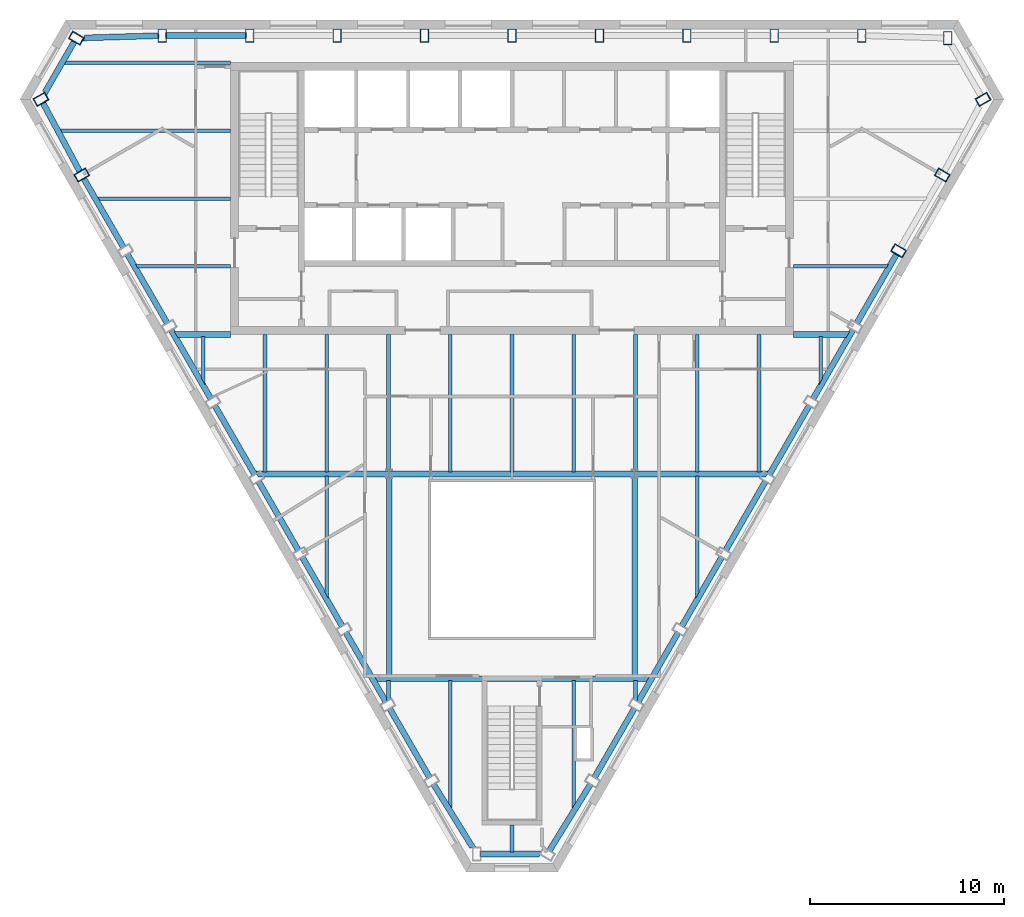
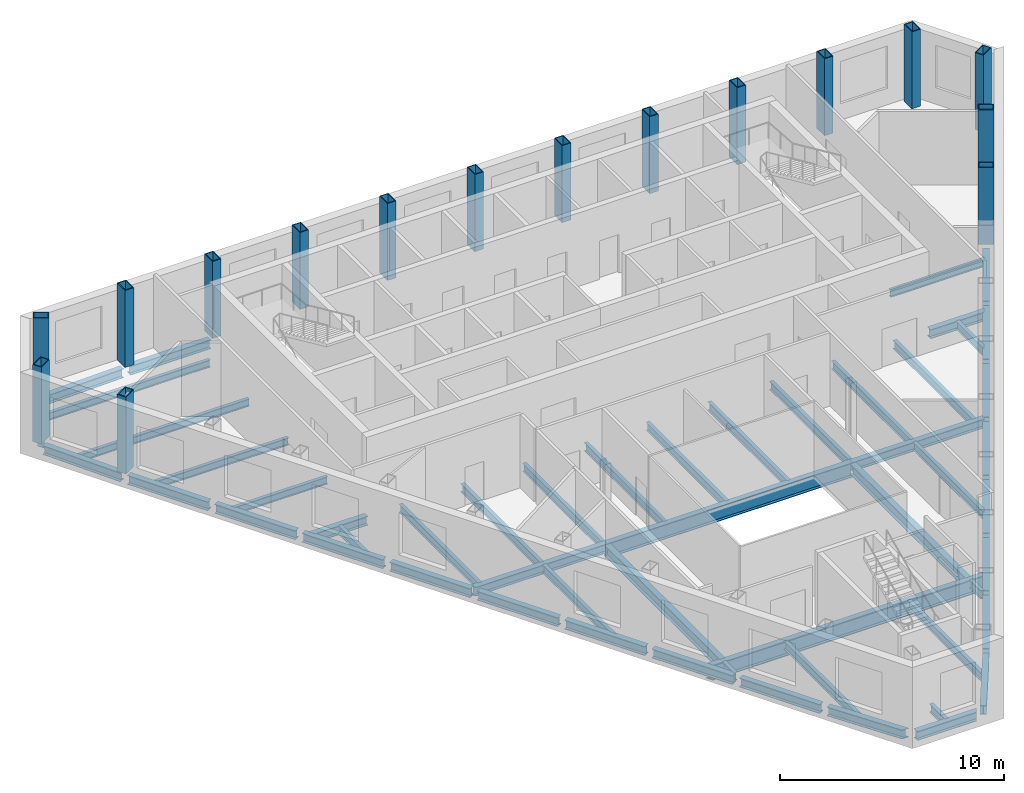
# One storey, part 2 of 10: 53 beams, 16 columns.
"""IFC4 building model written with IfcOpenShell, lengths in metres."""

import ifcopenshell
import ifcopenshell.guid

model = None  # the IFC model being written
_history = None  # IfcOwnerHistory: only IFC2X3 demands one
_inside = {}  # id of a spatial element -> (the spatial element, [elements in it])
_under = {}  # id of a project, library or spatial element -> (it, [spatial elements below it])
_declared = {}  # id of a project -> (the project, [libraries it declares])
_typed = {}  # id of a type object -> (the type object, [elements of that type])
_made_of = {}  # id of a material, layer set ... -> (it, [elements and type objects made of it])


def new_model(schema):
    """Start an empty IFC model of exactly this schema.

    Asked for "IFC4X3", IfcOpenShell would pick the latest addendum, in which some entities
    have other attributes; the version numbers below select the first issue.
    IFC2X3 requires an IfcOwnerHistory on every rooted entity: one is made here for all.
    """
    global model, _history
    if schema == "IFC4X3":
        model = ifcopenshell.file(schema_version=(4, 3, 0, 0))
    else:
        model = ifcopenshell.file(schema=schema)
    _inside.clear()
    _under.clear()
    _declared.clear()
    _typed.clear()
    _made_of.clear()
    _history = None
    if model.schema == "IFC2X3":
        org = make("IfcOrganization", Name="unknown")
        user = make(
            "IfcPersonAndOrganization",
            ThePerson=make("IfcPerson", FamilyName="unknown"),
            TheOrganization=org,
        )
        app = make(
            "IfcApplication",
            ApplicationDeveloper=org,
            Version="unknown",
            ApplicationFullName="unknown",
            ApplicationIdentifier="unknown",
        )
        _history = make(
            "IfcOwnerHistory",
            OwningUser=user,
            OwningApplication=app,
            ChangeAction="ADDED",
            CreationDate=0,
        )
    return model


def make(cls, **values):
    """One entity of the class cls with the attributes given. An attribute that is None is left unset."""
    return model.create_entity(
        cls, **{name: value for name, value in values.items() if value is not None}
    )


def rooted(cls, **values):
    """An entity with a GlobalId (a new one), such as an element, a storey or a relation."""
    return make(cls, GlobalId=ifcopenshell.guid.new(), OwnerHistory=_history, **values)


def si_unit(unit_type, name, prefix=None):
    """IfcSIUnit, for example si_unit("LENGTHUNIT", "METRE", prefix="MILLI")."""
    return make("IfcSIUnit", UnitType=unit_type, Prefix=prefix, Name=name)


def assignment(units):
    """IfcUnitAssignment: the units of a project."""
    return None if units is None else make("IfcUnitAssignment", Units=units)


def point(xyz):
    """IfcCartesianPoint."""
    return None if xyz is None else make("IfcCartesianPoint", Coordinates=xyz)


def direction(xyz):
    """IfcDirection."""
    return None if xyz is None else make("IfcDirection", DirectionRatios=xyz)


def frame(location, z_axis=None, x_axis=None):
    """IfcAxis2Placement3D, a coordinate frame: its origin and axes. An axis left out is left unset."""
    return make(
        "IfcAxis2Placement3D",
        Location=point(location),
        Axis=direction(z_axis),
        RefDirection=direction(x_axis),
    )


def frame_2d(location, x_axis=None):
    """IfcAxis2Placement2D, a coordinate frame in the plane: its origin and x axis."""
    return make(
        "IfcAxis2Placement2D", Location=point(location), RefDirection=direction(x_axis)
    )


def origin():
    """The frame at (0, 0, 0) with its axes left unset."""
    return frame((0.0, 0.0, 0.0))


def origin_2d():
    """The frame at (0, 0) in the plane with its x axis left unset."""
    return frame_2d((0.0, 0.0))


def place(relative_to, where):
    """IfcLocalPlacement: puts the frame where relative to a parent placement (None: the world)."""
    return make(
        "IfcLocalPlacement", PlacementRelTo=relative_to, RelativePlacement=where
    )


def context(
    kind, dimensions, precision=None, world=None, true_north=None, identifier=None
):
    """IfcGeometricRepresentationContext, for example the 3D "Model" context."""
    return make(
        "IfcGeometricRepresentationContext",
        ContextIdentifier=identifier,
        ContextType=kind,
        CoordinateSpaceDimension=dimensions,
        Precision=precision,
        WorldCoordinateSystem=world,
        TrueNorth=true_north,
    )


def subcontext(parent, identifier, kind, view, scale=None):
    """IfcGeometricRepresentationSubContext, for example "Body" below "Model"."""
    return make(
        "IfcGeometricRepresentationSubContext",
        ContextIdentifier=identifier,
        ContextType=kind,
        ParentContext=parent,
        TargetScale=scale,
        TargetView=view,
    )


def project(units=None, contexts=None):
    """IfcProject with its units and contexts."""
    return rooted(
        "IfcProject",
        Name="project",
        RepresentationContexts=contexts,
        UnitsInContext=assignment(units),
    )


def spatial(cls, under=None, at=None, **own):
    """A site, building, storey or space (cls), placed at a placement, below another one or the project."""
    s = rooted(cls, ObjectPlacement=at, **own)
    if under is not None:
        _under.setdefault(under.id(), (under, []))[1].append(s)
    return s


def profile(cls, at=None, kind="AREA", **sizes):
    """A parametric profile (cls). Its sizes go by their IFC names, for example OverallWidth=200.0."""
    return make(cls, ProfileType=kind, Position=at, **sizes)


def hollow_rectangle(**sizes):
    """IfcRectangleHollowProfileDef."""
    return profile("IfcRectangleHollowProfileDef", **sizes)


def i_section(**sizes):
    """IfcIShapeProfileDef."""
    return profile("IfcIShapeProfileDef", **sizes)


def extrude(swept, where, along, depth):
    """IfcExtrudedAreaSolid: the profile swept, set in the frame where, extruded along a direction by depth."""
    return make(
        "IfcExtrudedAreaSolid",
        SweptArea=swept,
        Position=where,
        ExtrudedDirection=direction(along),
        Depth=depth,
    )


def clip(a, b, op="DIFFERENCE"):
    """IfcBooleanClippingResult: the solid a cut by the half space b."""
    return make(
        "IfcBooleanClippingResult", Operator=op, FirstOperand=a, SecondOperand=b
    )


def halfspace(plane, agree):
    """IfcHalfSpaceSolid: all space on one side of the plane z = 0 of the frame plane."""
    return make(
        "IfcHalfSpaceSolid",
        BaseSurface=make("IfcPlane", Position=plane),
        AgreementFlag=agree,
    )


def shape(context_of_items, identifier, shape_type, items):
    """IfcShapeRepresentation: the items that make up one representation, for example the "Body"."""
    return make(
        "IfcShapeRepresentation",
        ContextOfItems=context_of_items,
        RepresentationIdentifier=identifier,
        RepresentationType=shape_type,
        Items=items,
    )


def material(Name=None, Category=None):
    """IfcMaterial."""
    return make("IfcMaterial", Name=Name, Category=Category)


def material_profile(
    of_material, cross_section, Name=None, Category=None, Priority=None
):
    """IfcMaterialProfile: a cross section and its material."""
    return make(
        "IfcMaterialProfile",
        Name=Name,
        Material=of_material,
        Profile=cross_section,
        Priority=Priority,
        Category=Category,
    )


def profile_set(profiles, Name=None, composite=None):
    """IfcMaterialProfileSet."""
    return make(
        "IfcMaterialProfileSet",
        Name=Name,
        MaterialProfiles=profiles,
        CompositeProfile=composite,
    )


def made_of(thing, what):
    """Note that an element or type object is made of a material, layer set ...; save() writes the relation."""
    if what is not None:
        _made_of.setdefault(what.id(), (what, []))[1].append(thing)
    return thing


def type_object(cls, material=None, **own):
    """A type object (cls), such as IfcWallType, which elements share."""
    return made_of(rooted(cls, **own), material)


def element(
    cls,
    number,
    at=None,
    inside=None,
    cuts=None,
    type_object=None,
    material=None,
    context=None,
    identifier="Body",
    shape_type=None,
    held_by="IfcProductDefinitionShape",
    body=None,
    shapes=None,
    **own,
):
    """One element of the class cls, such as IfcWall. Its Tag is "e" and its number.

    at: its placement. inside: the storey or other place that contains it. cuts: it is an
    opening in that element (IfcRelVoidsElement). A single representation is given by context,
    identifier, shape_type and body (its items); several are given by shapes. held_by: the class
    of the entity that holds the representations. save() writes the other relations.
    """
    e = rooted(cls, Tag="e%d" % number, ObjectPlacement=at, **own)
    if body is not None:
        shapes = [shape(context, identifier, shape_type, body)]
    if shapes is not None:
        e.Representation = make(held_by, Representations=shapes)
    if inside is not None:
        _inside.setdefault(inside.id(), (inside, []))[1].append(e)
    if cuts is not None:
        rooted(
            "IfcRelVoidsElement", RelatingBuildingElement=cuts, RelatedOpeningElement=e
        )
    if type_object is not None:
        _typed.setdefault(type_object.id(), (type_object, []))[1].append(e)
    return made_of(e, material)


def aggregate(whole, parts):
    """IfcRelAggregates: a whole, such as a stair, and the parts it consists of."""
    return rooted("IfcRelAggregates", RelatingObject=whole, RelatedObjects=parts)


def save(model, path):
    """Write the relations noted so far, then the file.

    IfcRelAggregates (storeys below a building ...), IfcRelContainedInSpatialStructure (elements
    in a storey), IfcRelDefinesByType, IfcRelAssociatesMaterial and IfcRelDeclares: one each for
    every whole, place, type object, material and project.
    """
    for whole, parts in _under.values():
        aggregate(whole, parts)
    for where, things in _inside.values():
        rooted(
            "IfcRelContainedInSpatialStructure",
            RelatedElements=things,
            RelatingStructure=where,
        )
    for kind, things in _typed.values():
        rooted("IfcRelDefinesByType", RelatedObjects=things, RelatingType=kind)
    for what, things in _made_of.values():
        rooted("IfcRelAssociatesMaterial", RelatedObjects=things, RelatingMaterial=what)
    for by, libraries in _declared.values():
        rooted("IfcRelDeclares", RelatingContext=by, RelatedDefinitions=libraries)
    model.write(path)


model = new_model("IFC4")

# Units and contexts
model_context = context("Model", 3, precision=1e-05, world=origin(), true_north=direction((0.0, 1.0)))
body_context = subcontext(model_context, "Body", "Model", "MODEL_VIEW")
ifc_project = project(units=[si_unit("LENGTHUNIT", "METRE"), si_unit("AREAUNIT", "SQUARE_METRE"), si_unit("VOLUMEUNIT", "CUBIC_METRE"), si_unit("PLANEANGLEUNIT", "RADIAN"), si_unit("MASSUNIT", "GRAM", prefix="KILO")], contexts=[model_context])

# Site, building, storey
site_placement = place(None, origin())
site = spatial("IfcSite", under=ifc_project, at=site_placement, CompositionType="ELEMENT")
building_placement = place(site_placement, origin())
building = spatial("IfcBuilding", under=site, at=building_placement, Name="Njiva Tower", CompositionType="ELEMENT")
storey_placement = place(building_placement, frame((0.0, 0.0, 308.4)))
storey = spatial("IfcBuildingStorey", under=building, at=storey_placement, Name="L70", CompositionType="ELEMENT", Elevation=308.4)

# Columns
ifc_material = material(Name="Steel S355 J2", Category="steel")
ifc_material_profile_1 = material_profile(ifc_material, hollow_rectangle(XDim=0.45, YDim=0.7, WallThickness=0.04, at=origin_2d()), Name="BOX 700x450x40")
ifc_profile_set_1 = profile_set([ifc_material_profile_1], Name="Steel S355 J2")
column_type = type_object("IfcColumnType", Name="C15 Perimeter tube column BOX 700x450x40", PredefinedType="COLUMN", material=ifc_profile_set_1)
for number, where, z_axis, x_axis, name in (
    (1, (22.456, 19.267, 0.0), (0.0, 0.0, 1.0), (-1.0, 0.0, 0.0), "Perimeter tube column S23-C01"),
    (2, (18.026, 19.4, 0.0), (0.0, 0.0, 1.0), (-1.0, 0.0, 0.0), "Perimeter tube column S23-C02"),
    (3, (13.52, 19.4, 0.0), (0.0, 0.0, 1.0), (-1.0, 0.0, 0.0), "Perimeter tube column S23-C03"),
    (4, (9.013, 19.4, 0.0), (0.0, 0.0, 1.0), (-1.0, 0.0, 0.0), "Perimeter tube column S23-C04"),
    (5, (4.507, 19.4, 0.0), (0.0, 0.0, 1.0), (-1.0, 0.0, 0.0), "Perimeter tube column S23-C05"),
    (6, (0.0, 19.4, 0.0), (0.0, 0.0, 1.0), (-1.0, 0.0, 0.0), "Perimeter tube column S23-C06"),
    (7, (-4.507, 19.4, 0.0), (0.0, 0.0, 1.0), (-1.0, 0.0, 0.0), "Perimeter tube column S23-C07"),
    (8, (-9.013, 19.4, 0.0), (0.0, 0.0, 1.0), (-1.0, 0.0, 0.0), "Perimeter tube column S23-C08"),
    (9, (-13.52, 19.4, 0.0), (0.0, 0.0, 1.0), (-1.0, 0.0, 0.0), "Perimeter tube column S23-C09"),
    (10, (-18.026, 19.4, 0.0), (0.0, 0.0, 1.0), (-1.0, 0.0, 0.0), "Perimeter tube column S23-C10"),
    (11, (-22.456, 19.267, 0.0), (0.0, 0.0, 1.0), (-0.5, -0.866025403784, 0.0), "Perimeter tube column S23-C11"),
    (12, (-24.278, 16.112, 0.0), (0.0, 0.0, 1.0), (0.5, -0.866025403784, 0.0), "Perimeter tube column S23-C12"),
    (13, (-22.178, 12.21, 0.0), (0.0, 0.0, 1.0), (0.5, -0.866025403784, 0.0), "Perimeter tube column S23-C13"),
    (14, (19.925, 8.307, 0.0), (0.0, 0.0, 1.0), (0.5, 0.866025403784, 0.0), "Perimeter tube column S23-C31"),
    (15, (22.178, 12.21, 0.0), (0.0, 0.0, 1.0), (0.5, 0.866025403784, 0.0), "Perimeter tube column S23-C32"),
    (16, (24.278, 16.112, 0.0), (0.0, 0.0, 1.0), (-0.5, 0.866025403784, 0.0), "Perimeter tube column S23-C33"),
):
    element("IfcColumn", number, at=place(storey_placement, frame(where, z_axis=z_axis, x_axis=x_axis)), inside=storey, type_object=column_type, Name=name, PredefinedType="COLUMN", context=body_context, shape_type="SweptSolid", body=[
        extrude(hollow_rectangle(XDim=0.45, YDim=0.7, WallThickness=0.04, at=origin_2d()), origin(), (0.0, 0.0, 1.0), 4.2),
    ])

# Beams
ifc_material_profile_2 = material_profile(ifc_material, i_section(OverallWidth=0.3, OverallDepth=0.59, WebThickness=0.013, FlangeThickness=0.025, at=origin_2d()), Name="HEA 600")
ifc_profile_set_2 = profile_set([ifc_material_profile_2], Name="Steel S355 J2")
beam_type_1 = type_object("IfcBeamType", Name="B30 Long-span atrium trimmer beam HEA 600", PredefinedType="BEAM", material=ifc_profile_set_2)
for number, where, z_axis, x_axis, name in (
    (17, (6.33, -13.649, -0.495), (0.0, 1.0, 0.0), (-1.0, 0.0, 0.0), "Long-span atrium trimmer beam S23-B061"),
    (18, (-6.33, -3.375, -0.495), (0.0, -1.0, 0.0), (1.0, 0.0, 0.0), "Long-span atrium trimmer beam S23-B058"),
):
    element("IfcBeam", number, at=place(storey_placement, frame(where, z_axis=z_axis, x_axis=x_axis)), inside=storey, type_object=beam_type_1, Name=name, PredefinedType="BEAM", context=body_context, shape_type="SweptSolid", body=[
        extrude(i_section(OverallWidth=0.3, OverallDepth=0.59, WebThickness=0.013, FlangeThickness=0.025, at=origin_2d()), origin(), (0.0, 0.0, 1.0), 10.274),
    ])
ifc_material_profile_3 = material_profile(ifc_material, i_section(OverallWidth=0.303, OverallDepth=0.814, WebThickness=0.021, FlangeThickness=0.04, at=origin_2d()), Name="HEM 800")
ifc_profile_set_3 = profile_set([ifc_material_profile_3], Name="Steel S355 J2")
beam_type_2 = type_object("IfcBeamType", Name="B36 Long-span atrium trimmer beam HEM 800", PredefinedType="BEAM", material=ifc_profile_set_3)
beam_1_placement = place(storey_placement, frame((-7.182, -13.75, -0.607), z_axis=(1.0, 0.0, 0.0), x_axis=(0.0, 1.0, 0.0)))
element("IfcBeam", 19, at=beam_1_placement, inside=storey, type_object=beam_type_2, Name="Long-span atrium trimmer beam S23-B057", PredefinedType="BEAM", context=body_context, shape_type="Clipping", body=[
    clip(clip(extrude(i_section(OverallWidth=0.303, OverallDepth=0.814, WebThickness=0.021, FlangeThickness=0.04, at=origin_2d()), origin(), (0.0, 0.0, 1.0), 14.364), halfspace(frame((-0.025, 0.0, 0.1217), z_axis=(-0.499998009787, 0.0, -0.866026552831), x_axis=(0.0, -1.0, 0.0)), False)), halfspace(frame((-0.025, 0.0, 14.2423), z_axis=(-0.499998009787, 0.0, 0.866026552831), x_axis=(0.0, 1.0, 0.0)), False)),
])
ifc_material_profile_4 = material_profile(ifc_material, i_section(OverallWidth=0.3, OverallDepth=0.49, WebThickness=0.012, FlangeThickness=0.023, at=origin_2d()), Name="HEA 500")
ifc_profile_set_4 = profile_set([ifc_material_profile_4], Name="Steel S355 J2")
beam_type_3 = type_object("IfcBeamType", Name="B48 Short-span spandrel beam HEA 500", PredefinedType="SPANDREL", material=ifc_profile_set_4)
beam_2_placement = place(storey_placement, frame((-13.695, 19.4, -0.445), z_axis=(-1.0, 0.0, 0.0), x_axis=(0.0, -1.0, 0.0)))
element("IfcBeam", 20, at=beam_2_placement, inside=storey, type_object=beam_type_3, Name="Short-span spandrel beam S23-B074", PredefinedType="SPANDREL", context=body_context, shape_type="SweptSolid", body=[
    extrude(i_section(OverallWidth=0.3, OverallDepth=0.49, WebThickness=0.012, FlangeThickness=0.023, at=origin_2d()), origin(), (0.0, 0.0, 1.0), 4.156),
])
beam_3_placement = place(storey_placement, frame((-18.205, 19.395, -0.445), z_axis=(-0.999542354349, -0.030250320034, 0.0), x_axis=(0.030250320034, -0.999542354349, 0.0)))
element("IfcBeam", 21, at=beam_3_placement, inside=storey, type_object=beam_type_3, Name="Short-span spandrel beam S23-B068", PredefinedType="SPANDREL", context=body_context, shape_type="Clipping", body=[
    clip(extrude(i_section(OverallWidth=0.3, OverallDepth=0.49, WebThickness=0.012, FlangeThickness=0.023, at=origin_2d()), origin(), (0.0, 0.0, 1.0), 4.0138), halfspace(frame((-0.0268, 0.0, 3.8841), z_axis=(-0.525966768254, 0.0, 0.850505119734), x_axis=(0.0, 1.0, 0.0)), False)),
])
beam_4_placement = place(storey_placement, frame((-22.544, 19.116, -0.445), z_axis=(-0.499962735845, -0.866046917185, 0.0), x_axis=(0.866046917185, -0.499962735845, 0.0)))
element("IfcBeam", 22, at=beam_4_placement, inside=storey, type_object=beam_type_3, Name="Short-span spandrel beam S23-B066", PredefinedType="SPANDREL", context=body_context, shape_type="Clipping", body=[
    clip(extrude(i_section(OverallWidth=0.3, OverallDepth=0.49, WebThickness=0.012, FlangeThickness=0.023, at=origin_2d()), origin(), (0.0, 0.0, 1.0), 3.2292), halfspace(frame((-0.0246, 0.0, 3.1078), z_axis=(-0.50003925339, 0.0, 0.866002739643), x_axis=(0.0, 1.0, 0.0)), False)),
])
beam_5_placement = place(storey_placement, frame((-24.193, 15.955, -0.445), z_axis=(0.473719218081, -0.880675934962, 0.0), x_axis=(0.880675934962, 0.473719218081, 0.0)))
element("IfcBeam", 23, at=beam_5_placement, inside=storey, type_object=beam_type_3, Name="Short-span spandrel beam S23-B064", PredefinedType="SPANDREL", context=body_context, shape_type="SweptSolid", body=[
    extrude(i_section(OverallWidth=0.3, OverallDepth=0.49, WebThickness=0.012, FlangeThickness=0.023, at=origin_2d()), origin(), (0.0, 0.0, 1.0), 4.0741),
])
beam_6_placement = place(storey_placement, frame((-22.091, 12.058, -0.445), z_axis=(0.500201435056, -0.865909073961, 0.0), x_axis=(0.865909073961, 0.500201435056, 0.0)))
element("IfcBeam", 24, at=beam_6_placement, inside=storey, type_object=beam_type_3, Name="Short-span spandrel beam S23-B069", PredefinedType="SPANDREL", context=body_context, shape_type="SweptSolid", body=[
    extrude(i_section(OverallWidth=0.3, OverallDepth=0.49, WebThickness=0.012, FlangeThickness=0.023, at=origin_2d()), origin(), (0.0, 0.0, 1.0), 4.1563),
])
beam_7_placement = place(storey_placement, frame((-19.837, 8.156, -0.445), z_axis=(0.499812681335, -0.866133525259, 0.0), x_axis=(0.866133525259, 0.499812681335, 0.0)))
element("IfcBeam", 25, at=beam_7_placement, inside=storey, type_object=beam_type_3, Name="Short-span spandrel beam S23-B071", PredefinedType="SPANDREL", context=body_context, shape_type="SweptSolid", body=[
    extrude(i_section(OverallWidth=0.3, OverallDepth=0.49, WebThickness=0.012, FlangeThickness=0.023, at=origin_2d()), origin(), (0.0, 0.0, 1.0), 4.1576),
])
for number, where, z_axis, x_axis, name in (
    (26, (-17.584, 4.252, -0.445), (0.500201435056, -0.865909073961, 0.0), (0.865909073961, 0.500201435056, 0.0), "Short-span spandrel beam S23-B075"),
    (27, (-15.331, 0.349, -0.445), (0.500201435056, -0.865909073961, 0.0), (0.865909073961, 0.500201435056, 0.0), "Short-span spandrel beam S23-B077"),
):
    element("IfcBeam", number, at=place(storey_placement, frame(where, z_axis=z_axis, x_axis=x_axis)), inside=storey, type_object=beam_type_3, Name=name, PredefinedType="SPANDREL", context=body_context, shape_type="SweptSolid", body=[
        extrude(i_section(OverallWidth=0.3, OverallDepth=0.49, WebThickness=0.012, FlangeThickness=0.023, at=origin_2d()), origin(), (0.0, 0.0, 1.0), 4.1563),
    ])
beam_8_placement = place(storey_placement, frame((-13.077, -3.553, -0.445), z_axis=(0.499812681335, -0.866133525259, 0.0), x_axis=(0.866133525259, 0.499812681335, 0.0)))
element("IfcBeam", 28, at=beam_8_placement, inside=storey, type_object=beam_type_3, Name="Short-span spandrel beam S23-B080", PredefinedType="SPANDREL", context=body_context, shape_type="SweptSolid", body=[
    extrude(i_section(OverallWidth=0.3, OverallDepth=0.49, WebThickness=0.012, FlangeThickness=0.023, at=origin_2d()), origin(), (0.0, 0.0, 1.0), 4.1576),
])
beam_9_placement = place(storey_placement, frame((-10.824, -7.457, -0.445), z_axis=(0.500201435056, -0.865909073961, 0.0), x_axis=(0.865909073961, 0.500201435056, 0.0)))
element("IfcBeam", 29, at=beam_9_placement, inside=storey, type_object=beam_type_3, Name="Short-span spandrel beam S23-B082", PredefinedType="SPANDREL", context=body_context, shape_type="SweptSolid", body=[
    extrude(i_section(OverallWidth=0.3, OverallDepth=0.49, WebThickness=0.012, FlangeThickness=0.023, at=origin_2d()), origin(), (0.0, 0.0, 1.0), 4.1563),
])
beam_10_placement = place(storey_placement, frame((-8.57, -11.359, -0.445), z_axis=(0.500021003115, -0.866013277291, 0.0), x_axis=(0.866013277291, 0.500021003115, 0.0)))
element("IfcBeam", 30, at=beam_10_placement, inside=storey, type_object=beam_type_3, Name="Short-span spandrel beam S23-B085", PredefinedType="SPANDREL", context=body_context, shape_type="SweptSolid", body=[
    extrude(i_section(OverallWidth=0.3, OverallDepth=0.49, WebThickness=0.012, FlangeThickness=0.023, at=origin_2d()), origin(), (0.0, 0.0, 1.0), 4.1558),
])
beam_11_placement = place(storey_placement, frame((-6.318, -15.262, -0.445), z_axis=(0.500097243556, -0.865969252911, 0.0), x_axis=(0.865969252911, 0.500097243556, 0.0)))
element("IfcBeam", 31, at=beam_11_placement, inside=storey, type_object=beam_type_3, Name="Short-span spandrel beam S23-B087", PredefinedType="SPANDREL", context=body_context, shape_type="SweptSolid", body=[
    extrude(i_section(OverallWidth=0.3, OverallDepth=0.49, WebThickness=0.012, FlangeThickness=0.023, at=origin_2d()), origin(), (0.0, 0.0, 1.0), 4.1572),
])
beam_12_placement = place(storey_placement, frame((-4.057, -19.165, -0.445), z_axis=(0.525612966053, -0.850723815299, 0.0), x_axis=(0.850723815299, 0.525612966053, 0.0)))
element("IfcBeam", 32, at=beam_12_placement, inside=storey, type_object=beam_type_3, Name="Short-span spandrel beam S23-B090", PredefinedType="SPANDREL", context=body_context, shape_type="Clipping", body=[
    clip(extrude(i_section(OverallWidth=0.3, OverallDepth=0.49, WebThickness=0.012, FlangeThickness=0.023, at=origin_2d()), origin(), (0.0, 0.0, 1.0), 4.0132), halfspace(frame((-0.026, 0.0, 3.8841), z_axis=(-0.525612966053, 0.0, 0.850723815299), x_axis=(0.0, 1.0, 0.0)), False)),
])
beam_13_placement = place(storey_placement, frame((-1.646, -22.783, -0.445), z_axis=(1.0, 0.0, 0.0), x_axis=(0.0, 1.0, 0.0)))
element("IfcBeam", 33, at=beam_13_placement, inside=storey, type_object=beam_type_3, Name="Short-span spandrel beam S23-B093", PredefinedType="SPANDREL", context=body_context, shape_type="Clipping", body=[
    clip(extrude(i_section(OverallWidth=0.3, OverallDepth=0.49, WebThickness=0.012, FlangeThickness=0.023, at=origin_2d()), origin(), (0.0, 0.0, 1.0), 3.228), halfspace(frame((-0.025, 0.0, 3.1061), z_axis=(-0.499998009787, 0.0, 0.866026552831), x_axis=(0.0, 1.0, 0.0)), False)),
])
beam_14_placement = place(storey_placement, frame((1.915, -22.631, -0.445), z_axis=(0.525712321525, 0.850662421291, 0.0), x_axis=(-0.850662421291, 0.525712321525, 0.0)))
element("IfcBeam", 34, at=beam_14_placement, inside=storey, type_object=beam_type_3, Name="Short-span spandrel beam S23-B096", PredefinedType="SPANDREL", context=body_context, shape_type="SweptSolid", body=[
    extrude(i_section(OverallWidth=0.3, OverallDepth=0.49, WebThickness=0.012, FlangeThickness=0.023, at=origin_2d()), origin(), (0.0, 0.0, 1.0), 4.0745),
])
beam_15_placement = place(storey_placement, frame((4.239, -18.862, -0.445), z_axis=(0.500097243556, 0.865969252911, 0.0), x_axis=(-0.865969252911, 0.500097243556, 0.0)))
element("IfcBeam", 35, at=beam_15_placement, inside=storey, type_object=beam_type_3, Name="Short-span spandrel beam S23-B098", PredefinedType="SPANDREL", context=body_context, shape_type="SweptSolid", body=[
    extrude(i_section(OverallWidth=0.3, OverallDepth=0.49, WebThickness=0.012, FlangeThickness=0.023, at=origin_2d()), origin(), (0.0, 0.0, 1.0), 4.1572),
])
beam_16_placement = place(storey_placement, frame((6.492, -14.958, -0.445), z_axis=(0.500021003115, 0.866013277291, 0.0), x_axis=(-0.866013277291, 0.500021003115, 0.0)))
element("IfcBeam", 36, at=beam_16_placement, inside=storey, type_object=beam_type_3, Name="Short-span spandrel beam S23-B101", PredefinedType="SPANDREL", context=body_context, shape_type="SweptSolid", body=[
    extrude(i_section(OverallWidth=0.3, OverallDepth=0.49, WebThickness=0.012, FlangeThickness=0.023, at=origin_2d()), origin(), (0.0, 0.0, 1.0), 4.1558),
])
beam_17_placement = place(storey_placement, frame((8.745, -11.056, -0.445), z_axis=(0.500201435056, 0.865909073961, 0.0), x_axis=(-0.865909073961, 0.500201435056, 0.0)))
element("IfcBeam", 37, at=beam_17_placement, inside=storey, type_object=beam_type_3, Name="Short-span spandrel beam S23-B103", PredefinedType="SPANDREL", context=body_context, shape_type="SweptSolid", body=[
    extrude(i_section(OverallWidth=0.3, OverallDepth=0.49, WebThickness=0.012, FlangeThickness=0.023, at=origin_2d()), origin(), (0.0, 0.0, 1.0), 4.1563),
])
beam_18_placement = place(storey_placement, frame((10.999, -7.154, -0.445), z_axis=(0.499812681335, 0.866133525259, 0.0), x_axis=(-0.866133525259, 0.499812681335, 0.0)))
element("IfcBeam", 38, at=beam_18_placement, inside=storey, type_object=beam_type_3, Name="Short-span spandrel beam S23-B106", PredefinedType="SPANDREL", context=body_context, shape_type="SweptSolid", body=[
    extrude(i_section(OverallWidth=0.3, OverallDepth=0.49, WebThickness=0.012, FlangeThickness=0.023, at=origin_2d()), origin(), (0.0, 0.0, 1.0), 4.1576),
])
for number, where, z_axis, x_axis, name in (
    (39, (13.252, -3.25, -0.445), (0.500201435056, 0.865909073961, 0.0), (-0.865909073961, 0.500201435056, 0.0), "Short-span spandrel beam S23-B108"),
    (40, (15.505, 0.653, -0.445), (0.500201435056, 0.865909073961, 0.0), (-0.865909073961, 0.500201435056, 0.0), "Short-span spandrel beam S23-B112"),
):
    element("IfcBeam", number, at=place(storey_placement, frame(where, z_axis=z_axis, x_axis=x_axis)), inside=storey, type_object=beam_type_3, Name=name, PredefinedType="SPANDREL", context=body_context, shape_type="SweptSolid", body=[
        extrude(i_section(OverallWidth=0.3, OverallDepth=0.49, WebThickness=0.012, FlangeThickness=0.023, at=origin_2d()), origin(), (0.0, 0.0, 1.0), 4.1563),
    ])
beam_19_placement = place(storey_placement, frame((17.759, 4.555, -0.445), z_axis=(0.499812681335, 0.866133525259, 0.0), x_axis=(-0.866133525259, 0.499812681335, 0.0)))
element("IfcBeam", 41, at=beam_19_placement, inside=storey, type_object=beam_type_3, Name="Short-span spandrel beam S23-B114", PredefinedType="SPANDREL", context=body_context, shape_type="SweptSolid", body=[
    extrude(i_section(OverallWidth=0.3, OverallDepth=0.49, WebThickness=0.012, FlangeThickness=0.023, at=origin_2d()), origin(), (0.0, 0.0, 1.0), 4.1576),
])
ifc_material_profile_5 = material_profile(ifc_material, i_section(OverallWidth=0.3, OverallDepth=0.49, WebThickness=0.012, FlangeThickness=0.023, at=origin_2d()), Name="HEA 500")
ifc_profile_set_5 = profile_set([ifc_material_profile_5], Name="Steel S355 J2")
beam_type_4 = type_object("IfcBeamType", Name="B49 Floor girder HEA 500", PredefinedType="BEAM", material=ifc_profile_set_5)
beam_20_placement = place(storey_placement, frame((-13.273, -3.2, -0.445), z_axis=(1.0, 0.0, 0.0), x_axis=(0.0, 1.0, 0.0)))
element("IfcBeam", 42, at=beam_20_placement, inside=storey, type_object=beam_type_4, Name="Floor girder S23-B010", PredefinedType="BEAM", context=body_context, shape_type="Clipping", body=[
    clip(extrude(i_section(OverallWidth=0.3, OverallDepth=0.49, WebThickness=0.012, FlangeThickness=0.023, at=origin_2d()), origin(), (0.0, 0.0, 1.0), 6.943), halfspace(frame((-0.025, 0.0, 0.1217), z_axis=(-0.499998009787, 0.0, -0.866026552831), x_axis=(0.0, -1.0, 0.0)), False)),
])
beam_21_placement = place(storey_placement, frame((6.33, -3.2, -0.445), z_axis=(1.0, 0.0, 0.0), x_axis=(0.0, 1.0, 0.0)))
element("IfcBeam", 43, at=beam_21_placement, inside=storey, type_object=beam_type_4, Name="Floor girder S23-B011", PredefinedType="BEAM", context=body_context, shape_type="Clipping", body=[
    clip(extrude(i_section(OverallWidth=0.3, OverallDepth=0.49, WebThickness=0.012, FlangeThickness=0.023, at=origin_2d()), origin(), (0.0, 0.0, 1.0), 6.943), halfspace(frame((-0.025, 0.0, 6.8213), z_axis=(-0.499998009787, 0.0, 0.866026552831), x_axis=(0.0, 1.0, 0.0)), False)),
])
ifc_material_profile_6 = material_profile(ifc_material, i_section(OverallWidth=0.3, OverallDepth=0.49, WebThickness=0.012, FlangeThickness=0.023, at=origin_2d()), Name="HEA 500")
ifc_profile_set_6 = profile_set([ifc_material_profile_6], Name="Steel S355 J2")
beam_type_5 = type_object("IfcBeamType", Name="B50 Short-span floor girder HEA 500", PredefinedType="BEAM", material=ifc_profile_set_6)
beam_22_placement = place(storey_placement, frame((-17.43, 4.0, -0.445), z_axis=(1.0, 0.0, 0.0), x_axis=(0.0, 1.0, 0.0)))
element("IfcBeam", 44, at=beam_22_placement, inside=storey, type_object=beam_type_5, Name="Short-span floor girder S23-B009", PredefinedType="BEAM", context=body_context, shape_type="Clipping", body=[
    clip(extrude(i_section(OverallWidth=0.3, OverallDepth=0.49, WebThickness=0.012, FlangeThickness=0.023, at=origin_2d()), origin(), (0.0, 0.0, 1.0), 2.93), halfspace(frame((-0.025, 0.0, 0.1217), z_axis=(-0.499998009787, 0.0, -0.866026552831), x_axis=(0.0, -1.0, 0.0)), False)),
])
beam_23_placement = place(storey_placement, frame((14.5, 4.0, -0.445), z_axis=(1.0, 0.0, 0.0), x_axis=(0.0, 1.0, 0.0)))
element("IfcBeam", 45, at=beam_23_placement, inside=storey, type_object=beam_type_5, Name="Short-span floor girder S23-B012", PredefinedType="BEAM", context=body_context, shape_type="Clipping", body=[
    clip(extrude(i_section(OverallWidth=0.3, OverallDepth=0.49, WebThickness=0.012, FlangeThickness=0.023, at=origin_2d()), origin(), (0.0, 0.0, 1.0), 2.93), halfspace(frame((-0.025, 0.0, 2.8083), z_axis=(-0.499998009787, 0.0, 0.866026552831), x_axis=(0.0, 1.0, 0.0)), False)),
])
ifc_material_profile_7 = material_profile(ifc_material, i_section(OverallWidth=0.18, OverallDepth=0.4, WebThickness=0.0086, FlangeThickness=0.0135, at=origin_2d()), Name="IPE 400")
ifc_profile_set_7 = profile_set([ifc_material_profile_7], Name="Steel S355 J2")
beam_type_6 = type_object("IfcBeamType", Name="B51 Floor beam to the core IPE 400", PredefinedType="BEAM", material=ifc_profile_set_7)
beam_24_placement = place(storey_placement, frame((-19.415, 7.5, -0.4), z_axis=(1.0, 0.0, 0.0), x_axis=(0.0, 1.0, 0.0)))
element("IfcBeam", 46, at=beam_24_placement, inside=storey, type_object=beam_type_6, Name="Floor beam to the core S23-B004", PredefinedType="BEAM", context=body_context, shape_type="Clipping", body=[
    clip(extrude(i_section(OverallWidth=0.18, OverallDepth=0.4, WebThickness=0.0086, FlangeThickness=0.0135, at=origin_2d()), origin(), (0.0, 0.0, 1.0), 4.915), halfspace(frame((-0.025, 0.0, 0.086), z_axis=(-0.499998009787, 0.0, -0.866026552831), x_axis=(0.0, -1.0, 0.0)), False)),
])
beam_25_placement = place(storey_placement, frame((14.5, 7.5, -0.4), z_axis=(1.0, 0.0, 0.0), x_axis=(0.0, 1.0, 0.0)))
element("IfcBeam", 47, at=beam_25_placement, inside=storey, type_object=beam_type_6, Name="Floor beam to the core S23-B005", PredefinedType="BEAM", context=body_context, shape_type="Clipping", body=[
    clip(extrude(i_section(OverallWidth=0.18, OverallDepth=0.4, WebThickness=0.0086, FlangeThickness=0.0135, at=origin_2d()), origin(), (0.0, 0.0, 1.0), 4.915), halfspace(frame((-0.025, 0.0, 4.829), z_axis=(-0.499998009787, 0.0, 0.866026552831), x_axis=(0.0, 1.0, 0.0)), False)),
])
beam_26_placement = place(storey_placement, frame((-21.436, 11.0, -0.4), z_axis=(1.0, 0.0, 0.0), x_axis=(0.0, 1.0, 0.0)))
element("IfcBeam", 48, at=beam_26_placement, inside=storey, type_object=beam_type_6, Name="Floor beam to the core S23-B003", PredefinedType="BEAM", context=body_context, shape_type="Clipping", body=[
    clip(extrude(i_section(OverallWidth=0.18, OverallDepth=0.4, WebThickness=0.0086, FlangeThickness=0.0135, at=origin_2d()), origin(), (0.0, 0.0, 1.0), 6.936), halfspace(frame((-0.025, 0.0, 0.0863), z_axis=(-0.499998009787, 0.0, -0.866026552831), x_axis=(0.0, -1.0, 0.0)), False)),
])
beam_27_placement = place(storey_placement, frame((-23.365, 14.5, -0.4), z_axis=(1.0, 0.0, 0.0), x_axis=(0.0, 1.0, 0.0)))
element("IfcBeam", 49, at=beam_27_placement, inside=storey, type_object=beam_type_6, Name="Floor beam to the core S23-B001", PredefinedType="BEAM", context=body_context, shape_type="Clipping", body=[
    clip(extrude(i_section(OverallWidth=0.18, OverallDepth=0.4, WebThickness=0.0086, FlangeThickness=0.0135, at=origin_2d()), origin(), (0.0, 0.0, 1.0), 8.865), halfspace(frame((-0.0237, 0.0, 0.0812), z_axis=(-0.47376166762, 0.0, -0.88065309986), x_axis=(0.0, -1.0, 0.0)), False)),
])
beam_28_placement = place(storey_placement, frame((-23.144, 18.0, -0.4), z_axis=(1.0, 0.0, 0.0), x_axis=(0.0, 1.0, 0.0)))
element("IfcBeam", 50, at=beam_28_placement, inside=storey, type_object=beam_type_6, Name="Floor beam to the core S23-B002", PredefinedType="BEAM", context=body_context, shape_type="Clipping", body=[
    clip(extrude(i_section(OverallWidth=0.18, OverallDepth=0.4, WebThickness=0.0086, FlangeThickness=0.0135, at=origin_2d()), origin(), (0.0, 0.0, 1.0), 8.644), halfspace(frame((0.025, 0.0, 0.0862), z_axis=(0.499998009787, 0.0, -0.866026552831), x_axis=(0.0, -1.0, 0.0)), False)),
])
ifc_material_profile_8 = material_profile(ifc_material, i_section(OverallWidth=0.19, OverallDepth=0.45, WebThickness=0.0094, FlangeThickness=0.0146, at=origin_2d()), Name="IPE 450")
ifc_profile_set_8 = profile_set([ifc_material_profile_8], Name="Steel S355 J2")
beam_type_7 = type_object("IfcBeamType", Name="B52 Short-span floor joist IPE 450", PredefinedType="JOIST", material=ifc_profile_set_8)
beam_29_placement = place(storey_placement, frame((-15.917, 3.9, -0.425), z_axis=(0.0, -1.0, 0.0), x_axis=(1.0, 0.0, 0.0)))
element("IfcBeam", 51, at=beam_29_placement, inside=storey, type_object=beam_type_7, Name="Short-span floor joist S23-B037", PredefinedType="JOIST", context=body_context, shape_type="Clipping", body=[
    clip(extrude(i_section(OverallWidth=0.19, OverallDepth=0.45, WebThickness=0.0094, FlangeThickness=0.0146, at=origin_2d()), origin(), (0.0, 0.0, 1.0), 2.52), halfspace(frame((-0.043, 0.0, 2.2603), z_axis=(-0.866026552831, 0.0, 0.499998009787), x_axis=(0.0, 1.0, 0.0)), False)),
])
beam_30_placement = place(storey_placement, frame((-6.367, -13.851, -0.425), z_axis=(0.0, -1.0, 0.0), x_axis=(1.0, 0.0, 0.0)))
element("IfcBeam", 52, at=beam_30_placement, inside=storey, type_object=beam_type_7, Name="Short-span floor joist S23-B042", PredefinedType="JOIST", context=body_context, shape_type="Clipping", body=[
    clip(extrude(i_section(OverallWidth=0.19, OverallDepth=0.45, WebThickness=0.0094, FlangeThickness=0.0146, at=origin_2d()), origin(), (0.0, 0.0, 1.0), 1.11), halfspace(frame((0.0253, 0.0, 1.0204), z_axis=(0.499998009787, 0.0, 0.866026552831), x_axis=(0.0, 1.0, 0.0)), False)),
])
beam_31_placement = place(storey_placement, frame((0.0, -21.3, -0.425), z_axis=(0.0, -1.0, 0.0), x_axis=(1.0, 0.0, 0.0)))
element("IfcBeam", 53, at=beam_31_placement, inside=storey, type_object=beam_type_7, Name="Short-span floor joist S23-B046", PredefinedType="JOIST", context=body_context, shape_type="SweptSolid", body=[
    extrude(i_section(OverallWidth=0.19, OverallDepth=0.45, WebThickness=0.0094, FlangeThickness=0.0146, at=origin_2d()), origin(), (0.0, 0.0, 1.0), 1.383),
])
beam_32_placement = place(storey_placement, frame((6.367, -13.851, -0.425), z_axis=(0.0, -1.0, 0.0), x_axis=(1.0, 0.0, 0.0)))
element("IfcBeam", 54, at=beam_32_placement, inside=storey, type_object=beam_type_7, Name="Short-span floor joist S23-B051", PredefinedType="JOIST", context=body_context, shape_type="Clipping", body=[
    clip(extrude(i_section(OverallWidth=0.19, OverallDepth=0.45, WebThickness=0.0094, FlangeThickness=0.0146, at=origin_2d()), origin(), (0.0, 0.0, 1.0), 1.11), halfspace(frame((-0.0253, 0.0, 1.0204), z_axis=(-0.499998009787, 0.0, 0.866026552831), x_axis=(0.0, 1.0, 0.0)), False)),
])
beam_33_placement = place(storey_placement, frame((15.917, 3.9, -0.425), z_axis=(0.0, -1.0, 0.0), x_axis=(1.0, 0.0, 0.0)))
element("IfcBeam", 55, at=beam_33_placement, inside=storey, type_object=beam_type_7, Name="Short-span floor joist S23-B056", PredefinedType="JOIST", context=body_context, shape_type="Clipping", body=[
    clip(extrude(i_section(OverallWidth=0.19, OverallDepth=0.45, WebThickness=0.0094, FlangeThickness=0.0146, at=origin_2d()), origin(), (0.0, 0.0, 1.0), 2.52), halfspace(frame((0.043, 0.0, 2.2603), z_axis=(0.866026552831, 0.0, 0.499998009787), x_axis=(0.0, 1.0, 0.0)), False)),
])
ifc_material_profile_9 = material_profile(ifc_material, i_section(OverallWidth=0.19, OverallDepth=0.45, WebThickness=0.0094, FlangeThickness=0.0146, at=origin_2d()), Name="IPE 450")
ifc_profile_set_9 = profile_set([ifc_material_profile_9], Name="Steel S355 J2")
beam_type_8 = type_object("IfcBeamType", Name="B53 Floor joist IPE 450", PredefinedType="JOIST", material=ifc_profile_set_9)
for number, where, z_axis, x_axis, name in (
    (56, (-12.733, 3.995, -0.425), (0.0, -1.0, 0.0), (1.0, 0.0, 0.0), "Floor joist S23-B038"),
    (57, (-9.55, 3.995, -0.425), (0.0, -1.0, 0.0), (1.0, 0.0, 0.0), "Floor joist S23-B040"),
):
    element("IfcBeam", number, at=place(storey_placement, frame(where, z_axis=z_axis, x_axis=x_axis)), inside=storey, type_object=beam_type_8, Name=name, PredefinedType="JOIST", context=body_context, shape_type="SweptSolid", body=[
        extrude(i_section(OverallWidth=0.19, OverallDepth=0.45, WebThickness=0.0094, FlangeThickness=0.0146, at=origin_2d()), origin(), (0.0, 0.0, 1.0), 7.095),
    ])
beam_34_placement = place(storey_placement, frame((-9.55, -3.3, -0.425), z_axis=(0.0, -1.0, 0.0), x_axis=(1.0, 0.0, 0.0)))
element("IfcBeam", 58, at=beam_34_placement, inside=storey, type_object=beam_type_8, Name="Floor joist S23-B039", PredefinedType="JOIST", context=body_context, shape_type="Clipping", body=[
    clip(extrude(i_section(OverallWidth=0.19, OverallDepth=0.45, WebThickness=0.0094, FlangeThickness=0.0146, at=origin_2d()), origin(), (0.0, 0.0, 1.0), 6.348), halfspace(frame((-0.0433, 0.0, 6.0877), z_axis=(-0.866026552831, 0.0, 0.499998009787), x_axis=(0.0, 1.0, 0.0)), False)),
])
beam_35_placement = place(storey_placement, frame((-6.367, 3.995, -0.425), z_axis=(0.0, -1.0, 0.0), x_axis=(1.0, 0.0, 0.0)))
element("IfcBeam", 59, at=beam_35_placement, inside=storey, type_object=beam_type_8, Name="Floor joist S23-B043", PredefinedType="JOIST", context=body_context, shape_type="SweptSolid", body=[
    extrude(i_section(OverallWidth=0.19, OverallDepth=0.45, WebThickness=0.0094, FlangeThickness=0.0146, at=origin_2d()), origin(), (0.0, 0.0, 1.0), 7.02),
])
beam_36_placement = place(storey_placement, frame((-3.183, 3.995, -0.425), z_axis=(0.0, -1.0, 0.0), x_axis=(1.0, 0.0, 0.0)))
element("IfcBeam", 60, at=beam_36_placement, inside=storey, type_object=beam_type_8, Name="Floor joist S23-B045", PredefinedType="JOIST", context=body_context, shape_type="SweptSolid", body=[
    extrude(i_section(OverallWidth=0.19, OverallDepth=0.45, WebThickness=0.0094, FlangeThickness=0.0146, at=origin_2d()), origin(), (0.0, 0.0, 1.0), 7.095),
])
beam_37_placement = place(storey_placement, frame((-3.183, -13.851, -0.425), z_axis=(0.0, -1.0, 0.0), x_axis=(1.0, 0.0, 0.0)))
element("IfcBeam", 61, at=beam_37_placement, inside=storey, type_object=beam_type_8, Name="Floor joist S23-B044", PredefinedType="JOIST", context=body_context, shape_type="Clipping", body=[
    clip(extrude(i_section(OverallWidth=0.19, OverallDepth=0.45, WebThickness=0.0094, FlangeThickness=0.0146, at=origin_2d()), origin(), (0.0, 0.0, 1.0), 6.712), halfspace(frame((-0.0429, 0.0, 6.4695), z_axis=(-0.850615955969, 0.0, 0.525787500281), x_axis=(0.0, 1.0, 0.0)), False)),
])
for number, where, z_axis, x_axis, name in (
    (62, (0.0, 3.995, -0.425), (0.0, -1.0, 0.0), (1.0, 0.0, 0.0), "Floor joist S23-B047"),
    (63, (3.183, 3.995, -0.425), (0.0, -1.0, 0.0), (1.0, 0.0, 0.0), "Floor joist S23-B049"),
):
    element("IfcBeam", number, at=place(storey_placement, frame(where, z_axis=z_axis, x_axis=x_axis)), inside=storey, type_object=beam_type_8, Name=name, PredefinedType="JOIST", context=body_context, shape_type="SweptSolid", body=[
        extrude(i_section(OverallWidth=0.19, OverallDepth=0.45, WebThickness=0.0094, FlangeThickness=0.0146, at=origin_2d()), origin(), (0.0, 0.0, 1.0), 7.095),
    ])
beam_38_placement = place(storey_placement, frame((3.183, -13.851, -0.425), z_axis=(0.0, -1.0, 0.0), x_axis=(1.0, 0.0, 0.0)))
element("IfcBeam", 64, at=beam_38_placement, inside=storey, type_object=beam_type_8, Name="Floor joist S23-B048", PredefinedType="JOIST", context=body_context, shape_type="Clipping", body=[
    clip(extrude(i_section(OverallWidth=0.19, OverallDepth=0.45, WebThickness=0.0094, FlangeThickness=0.0146, at=origin_2d()), origin(), (0.0, 0.0, 1.0), 6.712), halfspace(frame((0.0429, 0.0, 6.4695), z_axis=(0.850615955969, 0.0, 0.525787500281), x_axis=(0.0, 1.0, 0.0)), False)),
])
beam_39_placement = place(storey_placement, frame((6.367, 3.995, -0.425), z_axis=(0.0, -1.0, 0.0), x_axis=(1.0, 0.0, 0.0)))
element("IfcBeam", 65, at=beam_39_placement, inside=storey, type_object=beam_type_8, Name="Floor joist S23-B052", PredefinedType="JOIST", context=body_context, shape_type="SweptSolid", body=[
    extrude(i_section(OverallWidth=0.19, OverallDepth=0.45, WebThickness=0.0094, FlangeThickness=0.0146, at=origin_2d()), origin(), (0.0, 0.0, 1.0), 7.02),
])
beam_40_placement = place(storey_placement, frame((9.55, 3.995, -0.425), z_axis=(0.0, -1.0, 0.0), x_axis=(1.0, 0.0, 0.0)))
element("IfcBeam", 66, at=beam_40_placement, inside=storey, type_object=beam_type_8, Name="Floor joist S23-B054", PredefinedType="JOIST", context=body_context, shape_type="SweptSolid", body=[
    extrude(i_section(OverallWidth=0.19, OverallDepth=0.45, WebThickness=0.0094, FlangeThickness=0.0146, at=origin_2d()), origin(), (0.0, 0.0, 1.0), 7.095),
])
beam_41_placement = place(storey_placement, frame((9.55, -3.3, -0.425), z_axis=(0.0, -1.0, 0.0), x_axis=(1.0, 0.0, 0.0)))
element("IfcBeam", 67, at=beam_41_placement, inside=storey, type_object=beam_type_8, Name="Floor joist S23-B053", PredefinedType="JOIST", context=body_context, shape_type="Clipping", body=[
    clip(extrude(i_section(OverallWidth=0.19, OverallDepth=0.45, WebThickness=0.0094, FlangeThickness=0.0146, at=origin_2d()), origin(), (0.0, 0.0, 1.0), 6.348), halfspace(frame((0.0433, 0.0, 6.0877), z_axis=(0.866026552831, 0.0, 0.499998009787), x_axis=(0.0, 1.0, 0.0)), False)),
])
beam_42_placement = place(storey_placement, frame((12.733, 3.995, -0.425), z_axis=(0.0, -1.0, 0.0), x_axis=(1.0, 0.0, 0.0)))
element("IfcBeam", 68, at=beam_42_placement, inside=storey, type_object=beam_type_8, Name="Floor joist S23-B055", PredefinedType="JOIST", context=body_context, shape_type="SweptSolid", body=[
    extrude(i_section(OverallWidth=0.19, OverallDepth=0.45, WebThickness=0.0094, FlangeThickness=0.0146, at=origin_2d()), origin(), (0.0, 0.0, 1.0), 7.095),
])
ifc_material_profile_10 = material_profile(ifc_material, i_section(OverallWidth=0.3, OverallDepth=0.79, WebThickness=0.015, FlangeThickness=0.028, at=origin_2d()), Name="HEA 800")
ifc_profile_set_10 = profile_set([ifc_material_profile_10], Name="Steel S355 J2")
beam_type_9 = type_object("IfcBeamType", Name="B9 Long-span atrium trimmer beam HEA 800", PredefinedType="BEAM", material=ifc_profile_set_10)
beam_43_placement = place(storey_placement, frame((6.33, -3.2, -0.595), z_axis=(-1.0, 0.0, 0.0), x_axis=(0.0, -1.0, 0.0)))
element("IfcBeam", 69, at=beam_43_placement, inside=storey, type_object=beam_type_9, Name="Long-span atrium trimmer beam S23-B060", PredefinedType="BEAM", context=body_context, shape_type="SweptSolid", body=[
    extrude(i_section(OverallWidth=0.3, OverallDepth=0.79, WebThickness=0.015, FlangeThickness=0.028, at=origin_2d()), origin(), (0.0, 0.0, 1.0), 12.66),
])

save(model, "model.ifc")
